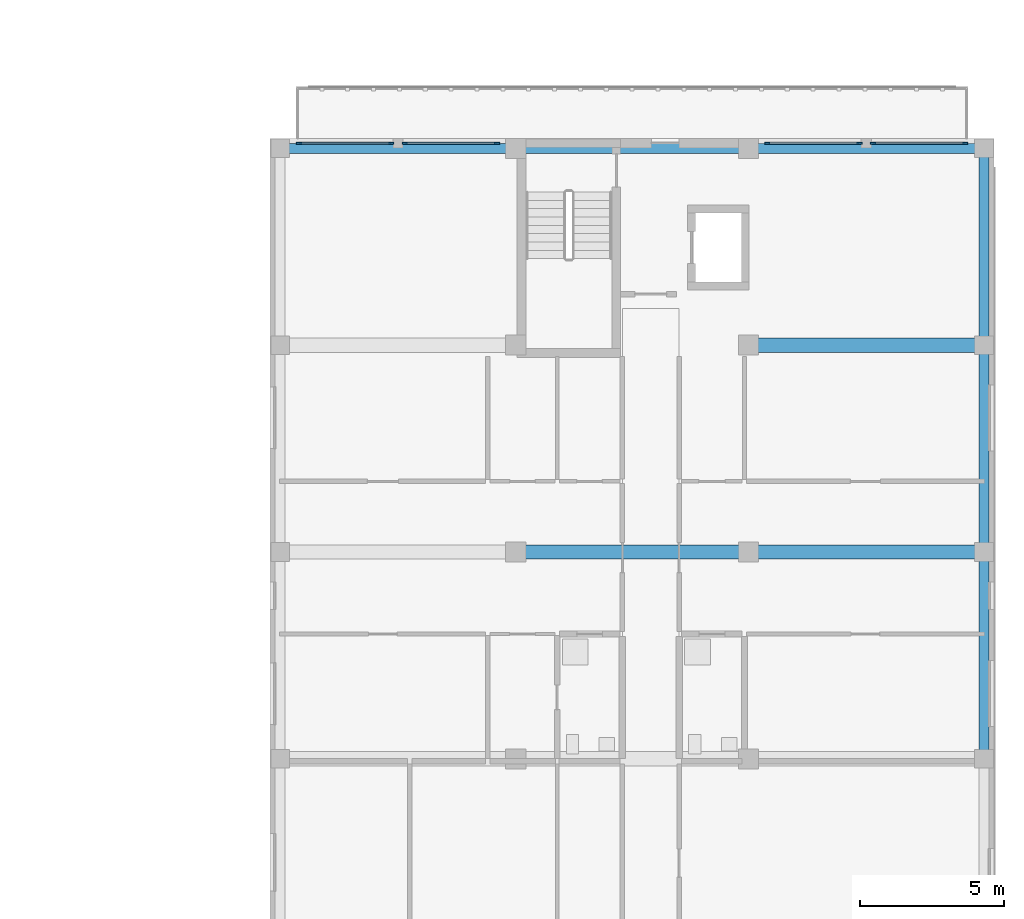
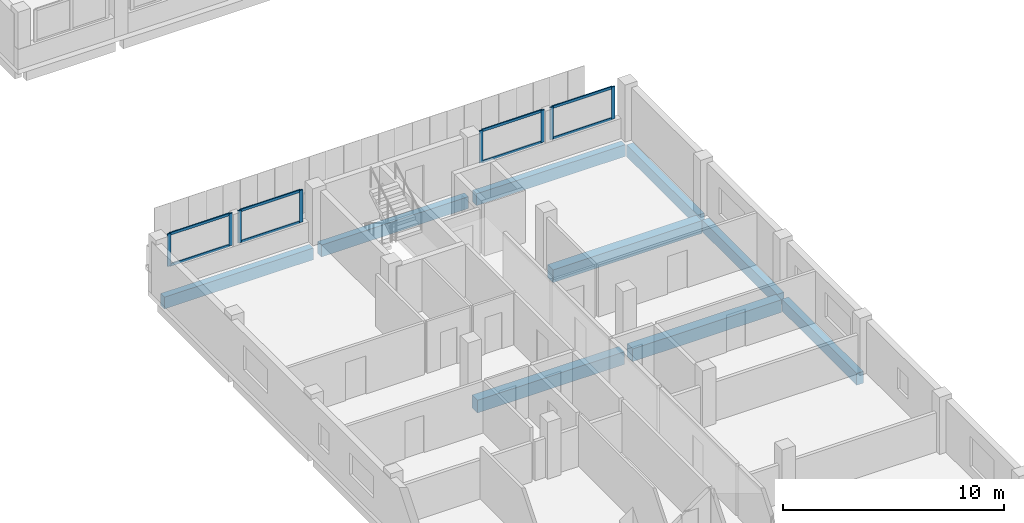
# One storey, part 16 of 56: 16 members, 9 beams, 4 elements without a shape of their own.
"""IFC4 building model written with IfcOpenShell, lengths in metres."""

from ifc_helpers import new_model, si_unit, derived_unit, direction, frame, origin, origin_2d, place, context, subcontext, project, spatial, rectangle, extrude, material, layer, layer_set, material_profile, profile_set, type_object, element, aggregate, save


model = new_model("IFC4")

# Units and contexts
model_context = context("Model", 3, precision=1e-05, world=origin(), true_north=direction((0.0, 1.0)))
body_context = subcontext(model_context, "Body", "Model", "MODEL_VIEW")
ifc_project = project(units=[si_unit("LENGTHUNIT", "METRE"), si_unit("AREAUNIT", "SQUARE_METRE"), si_unit("VOLUMEUNIT", "CUBIC_METRE"), si_unit("PLANEANGLEUNIT", "RADIAN"), si_unit("MASSUNIT", "GRAM", prefix="KILO"), derived_unit("THERMALTRANSMITTANCEUNIT", [(si_unit("MASSUNIT", "GRAM", prefix="KILO"), 1), (si_unit("TIMEUNIT", "SECOND"), -3), (si_unit("THERMODYNAMICTEMPERATUREUNIT", "KELVIN"), -1)])], contexts=[model_context])

# Site, building, storey
site_placement = place(None, origin())
site = spatial("IfcSite", under=ifc_project, at=site_placement, CompositionType="ELEMENT")
building_placement = place(site_placement, origin())
building = spatial("IfcBuilding", under=site, at=building_placement, Name="Ochrekiln Boulevard Commons", CompositionType="ELEMENT")
storey_placement = place(building_placement, frame((0.0, 0.0, 12.074951171875)))
storey = spatial("IfcBuildingStorey", under=building, at=storey_placement, Name="L03", CompositionType="ELEMENT", Elevation=12.074951171875)

# Beams
ifc_material_1 = material(Name="Concrete C40/50", Category="concrete")
ifc_material_profile_1 = material_profile(ifc_material_1, rectangle(XDim=0.5, YDim=0.699951171875, at=origin_2d()), Name="RC-BM-500x700")
ifc_profile_set_1 = profile_set([ifc_material_profile_1], Name="Concrete C40/50")
beam_type_1 = type_object("IfcBeamType", Name="BM-RC-500x700", PredefinedType="BEAM", material=ifc_profile_set_1)
beam_1_placement = place(storey_placement, frame((156.360107421875, 36.0, -0.60986328125), z_axis=(1.0, 0.0, 0.0), x_axis=(0.0, 1.0, 0.0)))
element("IfcBeam", 1, at=beam_1_placement, inside=storey, type_object=beam_type_1, Name="Block C L03 Beam B-5070 X16", PredefinedType="BEAM", context=body_context, shape_type="SweptSolid", body=[
    extrude(rectangle(XDim=0.5, YDim=0.699951171875, at=origin_2d()), origin(), (0.0, 0.0, 1.0), 7.679931640625),
])
for number, where, z_axis, x_axis, name in (
    (2, (164.4599609375, 36.0, -0.60986328125), (1.0, 0.0, 0.0), (0.0, 1.0, 0.0), "Block C L03 Beam B-5070 X17"),
    (3, (164.4599609375, 43.199951171875, -0.60986328125), (1.0, 0.0, 0.0), (0.0, 1.0, 0.0), "Block C L03 Beam B-5070 X19"),
):
    element("IfcBeam", number, at=place(storey_placement, frame(where, z_axis=z_axis, x_axis=x_axis)), inside=storey, type_object=beam_type_1, Name=name, PredefinedType="BEAM", context=body_context, shape_type="SweptSolid", body=[
        extrude(rectangle(XDim=0.5, YDim=0.699951171875, at=origin_2d()), origin(), (0.0, 0.0, 1.0), 7.780029296875),
    ])

# Curtain wall, members
ifc_material_2 = material(Name="Bronze-anodized extruded aluminium 6063-T6", Category="aluminium")
ifc_layer = layer(ifc_material_2, 0.18408203125)
ifc_layer_set = layer_set([ifc_layer], Name="Bronze-anodized extruded aluminium 6063-T6")
curtain_wall_type = type_object("IfcCurtainWallType", Name="CW-GABLE-B", PredefinedType="USERDEFINED", material=ifc_layer_set)
curtain_wall_1_placement = place(storey_placement, origin())
curtain_wall_1 = element("IfcCurtainWall", 4, at=curtain_wall_1_placement, inside=storey, type_object=curtain_wall_type, Name="Block C L03 Courtyard Glazed Gable Curtain Wall 1", ObjectType="GLAZED CURTAIN WALL", PredefinedType="USERDEFINED")
ifc_material_profile_2 = material_profile(ifc_material_2, rectangle(XDim=0.06494140625, YDim=0.179931640625, at=origin_2d()), Name="ALU-MUL-65x180")
ifc_profile_set_2 = profile_set([ifc_material_profile_2], Name="Bronze-anodized extruded aluminium 6063-T6")
member_type_1 = type_object("IfcMemberType", Name="CWM-65x180", PredefinedType="MULLION", material=ifc_profile_set_2)
member_1_placement = place(storey_placement, frame((148.6025390625, 50.235107421875, 1.110107421875), z_axis=(0.0, 0.0, 1.0), x_axis=(0.0, 1.0, 0.0)))
member_1 = element("IfcMember", 5, at=member_1_placement, type_object=member_type_1, Name="CW-02 mullion 1", PredefinedType="MULLION", context=body_context, shape_type="SweptSolid", body=[
    extrude(rectangle(XDim=0.06494140625, YDim=0.179931640625, at=origin_2d()), origin(), (0.0, 0.0, 1.0), 1.780029296875),
])
member_2_placement = place(storey_placement, frame((151.8173828125, 50.235107421875, 1.110107421875), z_axis=(0.0, 0.0, 1.0), x_axis=(0.0, 1.0, 0.0)))
member_2 = element("IfcMember", 6, at=member_2_placement, type_object=member_type_1, Name="CW-02 mullion 2", PredefinedType="MULLION", context=body_context, shape_type="SweptSolid", body=[
    extrude(rectangle(XDim=0.06494140625, YDim=0.179931640625, at=origin_2d()), origin(), (0.0, 0.0, 1.0), 1.780029296875),
])

curtain_wall_2_placement = place(storey_placement, origin())
curtain_wall_2 = element("IfcCurtainWall", 7, at=curtain_wall_2_placement, inside=storey, type_object=curtain_wall_type, Name="Block C L03 Courtyard Glazed Gable Curtain Wall 2", ObjectType="GLAZED CURTAIN WALL", PredefinedType="USERDEFINED")
member_3_placement = place(storey_placement, frame((152.282470703125, 50.235107421875, 1.110107421875), z_axis=(0.0, 0.0, 1.0), x_axis=(0.0, 1.0, 0.0)))
member_3 = element("IfcMember", 8, at=member_3_placement, type_object=member_type_1, Name="CW-02 mullion 1", PredefinedType="MULLION", context=body_context, shape_type="SweptSolid", body=[
    extrude(rectangle(XDim=0.06494140625, YDim=0.179931640625, at=origin_2d()), origin(), (0.0, 0.0, 1.0), 1.780029296875),
])
member_4_placement = place(storey_placement, frame((155.49755859375, 50.235107421875, 1.110107421875), z_axis=(0.0, 0.0, 1.0), x_axis=(0.0, 1.0, 0.0)))
member_4 = element("IfcMember", 9, at=member_4_placement, type_object=member_type_1, Name="CW-02 mullion 2", PredefinedType="MULLION", context=body_context, shape_type="SweptSolid", body=[
    extrude(rectangle(XDim=0.06494140625, YDim=0.179931640625, at=origin_2d()), origin(), (0.0, 0.0, 1.0), 1.780029296875),
])

curtain_wall_3_placement = place(storey_placement, origin())
curtain_wall_3 = element("IfcCurtainWall", 10, at=curtain_wall_3_placement, inside=storey, type_object=curtain_wall_type, Name="Block C L03 Courtyard Glazed Gable Curtain Wall 3", ObjectType="GLAZED CURTAIN WALL", PredefinedType="USERDEFINED")
member_5_placement = place(storey_placement, frame((164.902587890625, 50.235107421875, 1.110107421875), z_axis=(0.0, 0.0, 1.0), x_axis=(0.0, 1.0, 0.0)))
member_5 = element("IfcMember", 11, at=member_5_placement, type_object=member_type_1, Name="CW-02 mullion 1", PredefinedType="MULLION", context=body_context, shape_type="SweptSolid", body=[
    extrude(rectangle(XDim=0.06494140625, YDim=0.179931640625, at=origin_2d()), origin(), (0.0, 0.0, 1.0), 1.780029296875),
])
member_6_placement = place(storey_placement, frame((168.117431640625, 50.235107421875, 1.110107421875), z_axis=(0.0, 0.0, 1.0), x_axis=(0.0, 1.0, 0.0)))
member_6 = element("IfcMember", 12, at=member_6_placement, type_object=member_type_1, Name="CW-02 mullion 2", PredefinedType="MULLION", context=body_context, shape_type="SweptSolid", body=[
    extrude(rectangle(XDim=0.06494140625, YDim=0.179931640625, at=origin_2d()), origin(), (0.0, 0.0, 1.0), 1.780029296875),
])

curtain_wall_4_placement = place(storey_placement, origin())
curtain_wall_4 = element("IfcCurtainWall", 13, at=curtain_wall_4_placement, inside=storey, type_object=curtain_wall_type, Name="Block C L03 Courtyard Glazed Gable Curtain Wall 4", ObjectType="GLAZED CURTAIN WALL", PredefinedType="USERDEFINED")
member_7_placement = place(storey_placement, frame((168.58251953125, 50.235107421875, 1.110107421875), z_axis=(0.0, 0.0, 1.0), x_axis=(0.0, 1.0, 0.0)))
member_7 = element("IfcMember", 14, at=member_7_placement, type_object=member_type_1, Name="CW-02 mullion 1", PredefinedType="MULLION", context=body_context, shape_type="SweptSolid", body=[
    extrude(rectangle(XDim=0.06494140625, YDim=0.179931640625, at=origin_2d()), origin(), (0.0, 0.0, 1.0), 1.780029296875),
])
member_8_placement = place(storey_placement, frame((171.797607421875, 50.235107421875, 1.110107421875), z_axis=(0.0, 0.0, 1.0), x_axis=(0.0, 1.0, 0.0)))
member_8 = element("IfcMember", 15, at=member_8_placement, type_object=member_type_1, Name="CW-02 mullion 2", PredefinedType="MULLION", context=body_context, shape_type="SweptSolid", body=[
    extrude(rectangle(XDim=0.06494140625, YDim=0.179931640625, at=origin_2d()), origin(), (0.0, 0.0, 1.0), 1.780029296875),
])

# Member
ifc_material_profile_3 = material_profile(ifc_material_2, rectangle(XDim=0.06494140625, YDim=0.139892578125, at=origin_2d()), Name="ALU-TRN-65x140")
ifc_profile_set_3 = profile_set([ifc_material_profile_3], Name="Bronze-anodized extruded aluminium 6063-T6")
member_type_2 = type_object("IfcMemberType", Name="CWT-65x140", PredefinedType="USERDEFINED", material=ifc_profile_set_3)
member_9_placement = place(storey_placement, frame((148.635009765625, 50.235107421875, 1.142578125), z_axis=(1.0, 0.0, 0.0), x_axis=(0.0, 1.0, 0.0)))
member_9 = element("IfcMember", 16, at=member_9_placement, type_object=member_type_2, Name="CW-02 transom 1.1", ObjectType="TRANSOM", PredefinedType="USERDEFINED", context=body_context, shape_type="SweptSolid", body=[
    extrude(rectangle(XDim=0.06494140625, YDim=0.139892578125, at=origin_2d()), origin(), (0.0, 0.0, 1.0), 3.14990234375),
])

member_10_placement = place(storey_placement, frame((148.635009765625, 50.235107421875, 2.857666015625), z_axis=(1.0, 0.0, 0.0), x_axis=(0.0, 1.0, 0.0)))
member_10 = element("IfcMember", 17, at=member_10_placement, type_object=member_type_2, Name="CW-02 transom 1.2", ObjectType="TRANSOM", PredefinedType="USERDEFINED", context=body_context, shape_type="SweptSolid", body=[
    extrude(rectangle(XDim=0.06494140625, YDim=0.139892578125, at=origin_2d()), origin(), (0.0, 0.0, 1.0), 3.14990234375),
])

aggregate(curtain_wall_1, [member_1, member_2, member_9, member_10])

member_11_placement = place(storey_placement, frame((152.31494140625, 50.235107421875, 1.142578125), z_axis=(1.0, 0.0, 0.0), x_axis=(0.0, 1.0, 0.0)))
member_11 = element("IfcMember", 18, at=member_11_placement, type_object=member_type_2, Name="CW-02 transom 1.1", ObjectType="TRANSOM", PredefinedType="USERDEFINED", context=body_context, shape_type="SweptSolid", body=[
    extrude(rectangle(XDim=0.06494140625, YDim=0.139892578125, at=origin_2d()), origin(), (0.0, 0.0, 1.0), 3.150146484375),
])

member_12_placement = place(storey_placement, frame((152.31494140625, 50.235107421875, 2.857666015625), z_axis=(1.0, 0.0, 0.0), x_axis=(0.0, 1.0, 0.0)))
member_12 = element("IfcMember", 19, at=member_12_placement, type_object=member_type_2, Name="CW-02 transom 1.2", ObjectType="TRANSOM", PredefinedType="USERDEFINED", context=body_context, shape_type="SweptSolid", body=[
    extrude(rectangle(XDim=0.06494140625, YDim=0.139892578125, at=origin_2d()), origin(), (0.0, 0.0, 1.0), 3.150146484375),
])

aggregate(curtain_wall_2, [member_3, member_4, member_11, member_12])

member_13_placement = place(storey_placement, frame((164.93505859375, 50.235107421875, 1.142578125), z_axis=(1.0, 0.0, 0.0), x_axis=(0.0, 1.0, 0.0)))
member_13 = element("IfcMember", 20, at=member_13_placement, type_object=member_type_2, Name="CW-02 transom 1.1", ObjectType="TRANSOM", PredefinedType="USERDEFINED", context=body_context, shape_type="SweptSolid", body=[
    extrude(rectangle(XDim=0.06494140625, YDim=0.139892578125, at=origin_2d()), origin(), (0.0, 0.0, 1.0), 3.14990234375),
])

member_14_placement = place(storey_placement, frame((164.93505859375, 50.235107421875, 2.857666015625), z_axis=(1.0, 0.0, 0.0), x_axis=(0.0, 1.0, 0.0)))
member_14 = element("IfcMember", 21, at=member_14_placement, type_object=member_type_2, Name="CW-02 transom 1.2", ObjectType="TRANSOM", PredefinedType="USERDEFINED", context=body_context, shape_type="SweptSolid", body=[
    extrude(rectangle(XDim=0.06494140625, YDim=0.139892578125, at=origin_2d()), origin(), (0.0, 0.0, 1.0), 3.14990234375),
])

aggregate(curtain_wall_3, [member_5, member_6, member_13, member_14])

member_15_placement = place(storey_placement, frame((168.614990234375, 50.235107421875, 1.142578125), z_axis=(1.0, 0.0, 0.0), x_axis=(0.0, 1.0, 0.0)))
member_15 = element("IfcMember", 22, at=member_15_placement, type_object=member_type_2, Name="CW-02 transom 1.1", ObjectType="TRANSOM", PredefinedType="USERDEFINED", context=body_context, shape_type="SweptSolid", body=[
    extrude(rectangle(XDim=0.06494140625, YDim=0.139892578125, at=origin_2d()), origin(), (0.0, 0.0, 1.0), 3.14990234375),
])

member_16_placement = place(storey_placement, frame((168.614990234375, 50.235107421875, 2.857666015625), z_axis=(1.0, 0.0, 0.0), x_axis=(0.0, 1.0, 0.0)))
member_16 = element("IfcMember", 23, at=member_16_placement, type_object=member_type_2, Name="CW-02 transom 1.2", ObjectType="TRANSOM", PredefinedType="USERDEFINED", context=body_context, shape_type="SweptSolid", body=[
    extrude(rectangle(XDim=0.06494140625, YDim=0.139892578125, at=origin_2d()), origin(), (0.0, 0.0, 1.0), 3.14990234375),
])

aggregate(curtain_wall_4, [member_7, member_8, member_15, member_16])

# Beams
ifc_material_profile_4 = material_profile(ifc_material_1, rectangle(XDim=0.35009765625, YDim=0.64990234375, at=origin_2d()), Name="RC-SPN-350x650")
ifc_profile_set_4 = profile_set([ifc_material_profile_4], Name="Concrete C40/50")
beam_type_2 = type_object("IfcBeamType", Name="SPN-RC-350x650", PredefinedType="SPANDREL", material=ifc_profile_set_4)
beam_2_placement = place(storey_placement, frame((148.159912109375, 50.050048828125, -0.5849609375), z_axis=(1.0, 0.0, 0.0), x_axis=(0.0, 1.0, 0.0)))
element("IfcBeam", 24, at=beam_2_placement, inside=storey, type_object=beam_type_2, Name="Block C L03 Beam SP-3565 X20", PredefinedType="SPANDREL", context=body_context, shape_type="SweptSolid", body=[
    extrude(rectangle(XDim=0.35009765625, YDim=0.64990234375, at=origin_2d()), origin(), (0.0, 0.0, 1.0), 7.780029296875),
])
beam_3_placement = place(storey_placement, frame((156.360107421875, 50.050048828125, -0.5849609375), z_axis=(1.0, 0.0, 0.0), x_axis=(0.0, 1.0, 0.0)))
element("IfcBeam", 25, at=beam_3_placement, inside=storey, type_object=beam_type_2, Name="Block C L03 Beam SP-3565 X21", PredefinedType="SPANDREL", context=body_context, shape_type="SweptSolid", body=[
    extrude(rectangle(XDim=0.35009765625, YDim=0.64990234375, at=origin_2d()), origin(), (0.0, 0.0, 1.0), 7.679931640625),
])
beam_4_placement = place(storey_placement, frame((164.4599609375, 50.050048828125, -0.5849609375), z_axis=(1.0, 0.0, 0.0), x_axis=(0.0, 1.0, 0.0)))
element("IfcBeam", 26, at=beam_4_placement, inside=storey, type_object=beam_type_2, Name="Block C L03 Beam SP-3565 X22", PredefinedType="SPANDREL", context=body_context, shape_type="SweptSolid", body=[
    extrude(rectangle(XDim=0.35009765625, YDim=0.64990234375, at=origin_2d()), origin(), (0.0, 0.0, 1.0), 7.780029296875),
])
for number, where, z_axis, x_axis, name in (
    (27, (172.449951171875, 29.010009765625, -0.5849609375), (0.0, 1.0, 0.0), (-1.0, 0.0, 0.0), "Block C L03 Beam SP-3565 Y34"),
    (28, (172.449951171875, 36.2099609375, -0.5849609375), (0.0, 1.0, 0.0), (-1.0, 0.0, 0.0), "Block C L03 Beam SP-3565 Y35"),
):
    element("IfcBeam", number, at=place(storey_placement, frame(where, z_axis=z_axis, x_axis=x_axis)), inside=storey, type_object=beam_type_2, Name=name, PredefinedType="SPANDREL", context=body_context, shape_type="SweptSolid", body=[
        extrude(rectangle(XDim=0.35009765625, YDim=0.64990234375, at=origin_2d()), origin(), (0.0, 0.0, 1.0), 6.780029296875),
    ])
beam_5_placement = place(storey_placement, frame((172.449951171875, 43.409912109375, -0.5849609375), z_axis=(0.0, 1.0, 0.0), x_axis=(-1.0, 0.0, 0.0)))
element("IfcBeam", 29, at=beam_5_placement, inside=storey, type_object=beam_type_2, Name="Block C L03 Beam SP-3565 Y36", PredefinedType="SPANDREL", context=body_context, shape_type="SweptSolid", body=[
    extrude(rectangle(XDim=0.35009765625, YDim=0.64990234375, at=origin_2d()), origin(), (0.0, 0.0, 1.0), 6.43017578125),
])

save(model, "model.ifc")
